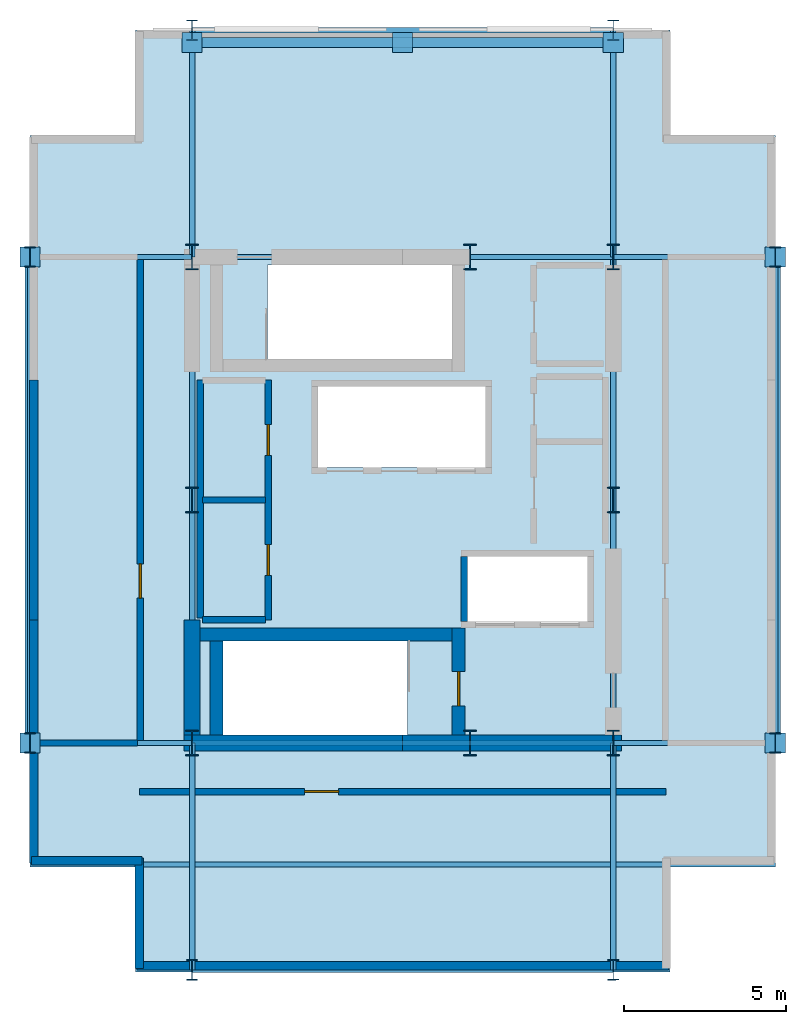
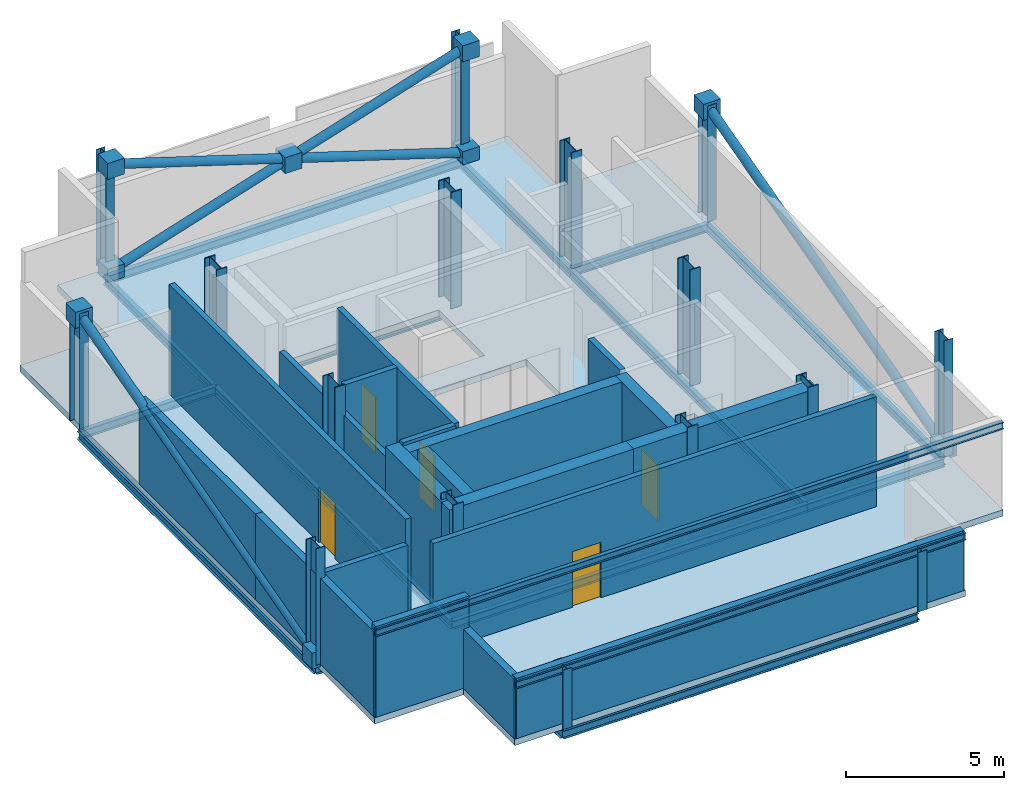
# One storey, part 1 of 3: 19 walls, 16 beams, 16 columns, 9 plates, 7 members, 5 doors, 1 slab, 5 openings.
"""IFC4 building model written with IfcOpenShell, lengths in metres."""

from ifc_helpers import new_model, si_unit, direction, frame, frame_2d, origin, origin_2d, place, context, subcontext, project, spatial, polyline, rectangle, hollow_circle, i_section, outline, extrude, material, layer, layer_set, material_profile, profile_set, type_object, element, fill, save


model = new_model("IFC4")

# Units and contexts
model_context = context("Model", 3, precision=1e-05, world=origin(), true_north=direction((0.0, 1.0)))
body_context = subcontext(model_context, "Body", "Model", "MODEL_VIEW")
ifc_project = project(units=[si_unit("LENGTHUNIT", "METRE"), si_unit("AREAUNIT", "SQUARE_METRE"), si_unit("VOLUMEUNIT", "CUBIC_METRE"), si_unit("PLANEANGLEUNIT", "RADIAN"), si_unit("MASSUNIT", "GRAM", prefix="KILO")], contexts=[model_context])

# Site, building, storey
site_placement = place(None, origin())
site = spatial("IfcSite", under=ifc_project, at=site_placement, CompositionType="ELEMENT")
building_placement = place(site_placement, origin())
building = spatial("IfcBuilding", under=site, at=building_placement, Name="Barlavira Tower and Art Museum", CompositionType="ELEMENT")
storey_placement = place(building_placement, frame((0.0, 0.0, 318.89990234375)))
storey = spatial("IfcBuildingStorey", under=building, at=storey_placement, Name="L83", CompositionType="ELEMENT", Elevation=318.89990234375)

# Columns
ifc_material_1 = material(Name="Steel S355", Category="steel")
ifc_material_profile_1 = material_profile(ifc_material_1, i_section(OverallWidth=0.382080078125, OverallDepth=0.785888671875, WebThickness=0.02001953125, FlangeThickness=0.032958984375, at=origin_2d()), Name="W760x314.0")
ifc_profile_set_1 = profile_set([ifc_material_profile_1], Name="Steel S355")
column_type_1 = type_object("IfcColumnType", Name="Core Composite Column W760x314 Steel S355", PredefinedType="COLUMN", material=ifc_profile_set_1)
for number, where, z_axis, x_axis, name in (
    (1, (-6.5, -7.5, 0.0), (0.0, 0.0, 1.0), (1.0, 0.0, 0.0), "L83 Column CC-L83-C1"),
    (2, (2.080078125, -7.5, 0.0), (0.0, 0.0, 1.0), (1.0, 0.0, 0.0), "L83 Column CC-L83-C2"),
    (3, (6.5, -7.5, 0.0), (0.0, 0.0, 1.0), (1.0, 0.0, 0.0), "L83 Column CC-L83-C3"),
    (4, (-6.5, 0.0, 0.0), (0.0, 0.0, 1.0), (1.0, 0.0, 0.0), "L83 Column CC-L83-C4"),
    (5, (6.5, 0.0, 0.0), (0.0, 0.0, 1.0), (1.0, 0.0, 0.0), "L83 Column CC-L83-C5"),
    (6, (-6.5, 7.5, 0.0), (0.0, 0.0, 1.0), (1.0, 0.0, 0.0), "L83 Column CC-L83-C6"),
    (7, (2.080078125, 7.5, 0.0), (0.0, 0.0, 1.0), (1.0, 0.0, 0.0), "L83 Column CC-L83-C7"),
    (8, (6.5, 7.5, 0.0), (0.0, 0.0, 1.0), (1.0, 0.0, 0.0), "L83 Column CC-L83-C8"),
):
    element("IfcColumn", number, at=place(storey_placement, frame(where, z_axis=z_axis, x_axis=x_axis)), inside=storey, type_object=column_type_1, Name=name, PredefinedType="COLUMN", context=body_context, shape_type="SweptSolid", body=[
        extrude(i_section(OverallWidth=0.382080078125, OverallDepth=0.785888671875, WebThickness=0.02001953125, FlangeThickness=0.032958984375, at=origin_2d()), origin(), (0.0, 0.0, 1.0), 4.5),
    ])
ifc_material_profile_2 = material_profile(ifc_material_1, i_section(OverallWidth=0.327880859375, OverallDepth=0.62890625, WebThickness=0.013916015625, FlangeThickness=0.021484375, at=origin_2d()), Name="W610x174.0")
ifc_profile_set_2 = profile_set([ifc_material_profile_2], Name="Steel S355")
column_type_2 = type_object("IfcColumnType", Name="Crown Frame Column W610x174 Steel S355", PredefinedType="COLUMN", material=ifc_profile_set_2)
for number, where, z_axis, x_axis, name in (
    (9, (-6.5, -14.5, 0.0), (0.0, 0.0, 1.0), (1.0, 0.0, 0.0), "L83 Column CCR-L83-CR1"),
    (10, (6.5, -14.5, 0.0), (0.0, 0.0, 1.0), (1.0, 0.0, 0.0), "L83 Column CCR-L83-CR3"),
):
    element("IfcColumn", number, at=place(storey_placement, frame(where, z_axis=z_axis, x_axis=x_axis)), inside=storey, type_object=column_type_2, Name=name, PredefinedType="COLUMN", context=body_context, shape_type="SweptSolid", body=[
        extrude(i_section(OverallWidth=0.327880859375, OverallDepth=0.62890625, WebThickness=0.013916015625, FlangeThickness=0.021484375, at=origin_2d()), origin(), (0.0, 0.0, 1.0), 2.294921875),
    ])
for number, where, z_axis, x_axis, name in (
    (11, (-11.5, -7.5, 0.0), (0.0, 0.0, 1.0), (1.0, 0.0, 0.0), "L83 Column CCR-L83-CR6"),
    (12, (11.5, -7.5, 0.0), (0.0, 0.0, 1.0), (1.0, 0.0, 0.0), "L83 Column CCR-L83-CR7"),
    (13, (-11.5, 7.5, 0.0), (0.0, 0.0, 1.0), (1.0, 0.0, 0.0), "L83 Column CCR-L83-CRA"),
    (14, (11.5, 7.5, 0.0), (0.0, 0.0, 1.0), (1.0, 0.0, 0.0), "L83 Column CCR-L83-CRB"),
    (15, (-6.5, 14.5, 0.0), (0.0, 0.0, 1.0), (1.0, 0.0, 0.0), "L83 Column CCR-L83-CRE"),
    (16, (6.5, 14.5, 0.0), (0.0, 0.0, 1.0), (1.0, 0.0, 0.0), "L83 Column CCR-L83-CRG"),
):
    element("IfcColumn", number, at=place(storey_placement, frame(where, z_axis=z_axis, x_axis=x_axis)), inside=storey, type_object=column_type_2, Name=name, PredefinedType="COLUMN", context=body_context, shape_type="SweptSolid", body=[
        extrude(i_section(OverallWidth=0.327880859375, OverallDepth=0.62890625, WebThickness=0.013916015625, FlangeThickness=0.021484375, at=origin_2d()), origin(), (0.0, 0.0, 1.0), 4.5),
    ])

# Beams
ifc_material_profile_3 = material_profile(ifc_material_1, i_section(OverallWidth=0.1669921875, OverallDepth=0.31689453125, WebThickness=0.007568359375, FlangeThickness=0.01318359375, at=origin_2d()), Name="W310x52.0")
ifc_profile_set_3 = profile_set([ifc_material_profile_3], Name="Steel S355")
beam_type = type_object("IfcBeamType", Name="Crown Floor Joist W310x52 Steel S355", PredefinedType="JOIST", material=ifc_profile_set_3)
for number, where, z_axis, x_axis, name in (
    (17, (-6.5, -14.5, -0.408447265625), (1.0, 0.0, 0.0), (0.0, 1.0, 0.0), "L83 Crown Ring Beam CS"),
    (18, (-6.5, 14.5, -0.408447265625), (1.0, 0.0, 0.0), (0.0, 1.0, 0.0), "L83 Crown Ring Beam CN"),
):
    element("IfcBeam", number, at=place(storey_placement, frame(where, z_axis=z_axis, x_axis=x_axis)), inside=storey, type_object=beam_type, Name=name, PredefinedType="JOIST", context=body_context, shape_type="SweptSolid", body=[
        extrude(i_section(OverallWidth=0.1669921875, OverallDepth=0.31689453125, WebThickness=0.007568359375, FlangeThickness=0.01318359375, at=origin_2d()), origin(), (0.0, 0.0, 1.0), 13.0),
    ])
for number, where, z_axis, x_axis, name in (
    (19, (-11.5, -7.5, -0.408447265625), (0.0, 1.0, 0.0), (-1.0, 0.0, 0.0), "L83 Crown Ring Beam CW1"),
    (20, (11.5, -7.5, -0.408447265625), (0.0, 1.0, 0.0), (-1.0, 0.0, 0.0), "L83 Crown Ring Beam CE1"),
):
    element("IfcBeam", number, at=place(storey_placement, frame(where, z_axis=z_axis, x_axis=x_axis)), inside=storey, type_object=beam_type, Name=name, PredefinedType="JOIST", context=body_context, shape_type="SweptSolid", body=[
        extrude(i_section(OverallWidth=0.1669921875, OverallDepth=0.31689453125, WebThickness=0.007568359375, FlangeThickness=0.01318359375, at=origin_2d()), origin(), (0.0, 0.0, 1.0), 15.0),
    ])
for number, where, z_axis, x_axis, name in (
    (21, (-6.5, -14.5, -0.408447265625), (0.0, 1.0, 0.0), (-1.0, 0.0, 0.0), "L83 Crown Ring Beam CSL"),
    (22, (6.5, -14.5, -0.408447265625), (0.0, 1.0, 0.0), (-1.0, 0.0, 0.0), "L83 Crown Ring Beam CSR"),
    (23, (-6.5, 7.5, -0.408447265625), (0.0, 1.0, 0.0), (-1.0, 0.0, 0.0), "L83 Crown Ring Beam CNL"),
    (24, (6.5, 7.5, -0.408447265625), (0.0, 1.0, 0.0), (-1.0, 0.0, 0.0), "L83 Crown Ring Beam CNR"),
):
    element("IfcBeam", number, at=place(storey_placement, frame(where, z_axis=z_axis, x_axis=x_axis)), inside=storey, type_object=beam_type, Name=name, PredefinedType="JOIST", context=body_context, shape_type="SweptSolid", body=[
        extrude(i_section(OverallWidth=0.1669921875, OverallDepth=0.31689453125, WebThickness=0.007568359375, FlangeThickness=0.01318359375, at=origin_2d()), origin(), (0.0, 0.0, 1.0), 7.0),
    ])
for number, where, z_axis, x_axis, name in (
    (25, (-11.5, -7.5, -0.408447265625), (1.0, 0.0, 0.0), (0.0, 1.0, 0.0), "L83 Crown Ring Beam CWL"),
    (26, (-11.5, 7.5, -0.408447265625), (1.0, 0.0, 0.0), (0.0, 1.0, 0.0), "L83 Crown Ring Beam CWR"),
    (27, (6.5, -7.5, -0.408447265625), (1.0, 0.0, 0.0), (0.0, 1.0, 0.0), "L83 Crown Ring Beam CEL"),
    (28, (6.5, 7.5, -0.408447265625), (1.0, 0.0, 0.0), (0.0, 1.0, 0.0), "L83 Crown Ring Beam CER"),
):
    element("IfcBeam", number, at=place(storey_placement, frame(where, z_axis=z_axis, x_axis=x_axis)), inside=storey, type_object=beam_type, Name=name, PredefinedType="JOIST", context=body_context, shape_type="SweptSolid", body=[
        extrude(i_section(OverallWidth=0.1669921875, OverallDepth=0.31689453125, WebThickness=0.007568359375, FlangeThickness=0.01318359375, at=origin_2d()), origin(), (0.0, 0.0, 1.0), 5.0),
    ])
for number, where, z_axis, x_axis, name in (
    (29, (-6.5, -7.5, -0.408447265625), (1.0, 0.0, 0.0), (0.0, 1.0, 0.0), "L83 Crown Ring Beam CI1"),
    (30, (-6.5, 7.5, -0.408447265625), (1.0, 0.0, 0.0), (0.0, 1.0, 0.0), "L83 Crown Ring Beam CI2"),
):
    element("IfcBeam", number, at=place(storey_placement, frame(where, z_axis=z_axis, x_axis=x_axis)), inside=storey, type_object=beam_type, Name=name, PredefinedType="JOIST", context=body_context, shape_type="SweptSolid", body=[
        extrude(i_section(OverallWidth=0.1669921875, OverallDepth=0.31689453125, WebThickness=0.007568359375, FlangeThickness=0.01318359375, at=origin_2d()), origin(), (0.0, 0.0, 1.0), 13.0),
    ])
for number, where, z_axis, x_axis, name in (
    (31, (-6.5, -7.5, -0.408447265625), (0.0, 1.0, 0.0), (-1.0, 0.0, 0.0), "L83 Crown Ring Beam CI3"),
    (32, (6.5, -7.5, -0.408447265625), (0.0, 1.0, 0.0), (-1.0, 0.0, 0.0), "L83 Crown Ring Beam CI4"),
):
    element("IfcBeam", number, at=place(storey_placement, frame(where, z_axis=z_axis, x_axis=x_axis)), inside=storey, type_object=beam_type, Name=name, PredefinedType="JOIST", context=body_context, shape_type="SweptSolid", body=[
        extrude(i_section(OverallWidth=0.1669921875, OverallDepth=0.31689453125, WebThickness=0.007568359375, FlangeThickness=0.01318359375, at=origin_2d()), origin(), (0.0, 0.0, 1.0), 15.0),
    ])

# Members
ifc_material_profile_4 = material_profile(ifc_material_1, hollow_circle(Radius=0.161865234375, WallThickness=0.01611328125, at=origin_2d()), Name="CHS 323.9x16.0")
ifc_profile_set_4 = profile_set([ifc_material_profile_4], Name="Steel S355")
member_type_1 = type_object("IfcMemberType", Name="Pale-Metal Crown Diagrid Tube CHS 324x16 Steel S355", PredefinedType="BRACE", material=ifc_profile_set_4)
member_1_placement = place(storey_placement, frame((-6.5, 14.1201171875, 0.2001953125), z_axis=(0.953696556146, 0.0, 0.300770475273), x_axis=(0.0, 1.0, 0.0)))
element("IfcMember", 33, at=member_1_placement, inside=storey, type_object=member_type_1, Name="L83 Chisel Crown Diagonal Brace 1", PredefinedType="BRACE", context=body_context, shape_type="SweptSolid", body=[
    extrude(hollow_circle(Radius=0.161865234375, WallThickness=0.01611328125, at=origin_2d()), origin(), (0.0, 0.0, 1.0), 13.631103515625),
])
member_2_placement = place(storey_placement, frame((6.5, 14.1201171875, 0.2001953125), z_axis=(-0.95370169354, 0.0, 0.300754184907), x_axis=(0.0, -1.0, 0.0)))
element("IfcMember", 34, at=member_2_placement, inside=storey, type_object=member_type_1, Name="L83 Chisel Crown Diagonal Brace 2", PredefinedType="BRACE", context=body_context, shape_type="SweptSolid", body=[
    extrude(hollow_circle(Radius=0.161865234375, WallThickness=0.01611328125, at=origin_2d()), origin(), (0.0, 0.0, 1.0), 6.8154296875),
])
member_3_placement = place(storey_placement, frame((0.0, 14.1201171875, 2.25), z_axis=(-0.953691418528, 0.0, 0.300786765376), x_axis=(0.0, -1.0, 0.0)))
element("IfcMember", 35, at=member_3_placement, inside=storey, type_object=member_type_1, Name="L83 Chisel Crown Diagonal Brace 3", PredefinedType="BRACE", context=body_context, shape_type="SweptSolid", body=[
    extrude(hollow_circle(Radius=0.161865234375, WallThickness=0.01611328125, at=origin_2d()), origin(), (0.0, 0.0, 1.0), 6.815673828125),
])
for number, where, z_axis, x_axis, name in (
    (36, (-11.5, -7.5, 0.2001953125), (0.0, 0.964617661228, 0.263652740641), (-1.0, 0.0, 0.0), "L83 Chisel Crown Flank Brace 10"),
    (37, (11.5, -7.5, 0.2001953125), (0.0, 0.964617661228, 0.263652740641), (-1.0, 0.0, 0.0), "L83 Chisel Crown Flank Brace 11"),
):
    element("IfcMember", number, at=place(storey_placement, frame(where, z_axis=z_axis, x_axis=x_axis)), inside=storey, type_object=member_type_1, Name=name, PredefinedType="BRACE", context=body_context, shape_type="SweptSolid", body=[
        extrude(hollow_circle(Radius=0.161865234375, WallThickness=0.01611328125, at=origin_2d()), origin(), (0.0, 0.0, 1.0), 15.55029296875),
    ])
ifc_material_profile_5 = material_profile(ifc_material_1, i_section(OverallWidth=0.14794921875, OverallDepth=0.26611328125, WebThickness=0.007568359375, FlangeThickness=0.012939453125, at=origin_2d()), Name="W250x44.8")
ifc_profile_set_5 = profile_set([ifc_material_profile_5], Name="Steel S355")
member_type_2 = type_object("IfcMemberType", Name="Sloped Chisel Roof Purlin W250x44.8 Steel S355", PredefinedType="PURLIN", material=ifc_profile_set_5)
member_4_placement = place(storey_placement, frame((-8.25, -14.5, 2.111083984375), z_axis=(1.0, 0.0, 0.0), x_axis=(0.0, 1.0, 0.0)))
element("IfcMember", 38, at=member_4_placement, inside=storey, type_object=member_type_2, Name="Chisel Roof Purlin 1", PredefinedType="PURLIN", context=body_context, shape_type="SweptSolid", body=[
    extrude(i_section(OverallWidth=0.14794921875, OverallDepth=0.26611328125, WebThickness=0.007568359375, FlangeThickness=0.012939453125, at=origin_2d()), origin(), (0.0, 0.0, 1.0), 16.5),
])
member_5_placement = place(storey_placement, frame((-11.5, -11.25, 3.2939453125), z_axis=(1.0, 0.0, 0.0), x_axis=(0.0, 1.0, 0.0)))
element("IfcMember", 39, at=member_5_placement, inside=storey, type_object=member_type_2, Name="Chisel Roof Purlin 2", PredefinedType="PURLIN", context=body_context, shape_type="SweptSolid", body=[
    extrude(i_section(OverallWidth=0.14794921875, OverallDepth=0.26611328125, WebThickness=0.007568359375, FlangeThickness=0.012939453125, at=origin_2d()), origin(), (0.0, 0.0, 1.0), 23.0),
])

# Plates
ifc_layer_1 = layer(ifc_material_1, 0.6201171875, Name="Steel S355")
ifc_layer_set_1 = layer_set([ifc_layer_1], Name="Steel S355")
plate_type = type_object("IfcPlateType", Name="Crown Canopy Solid Steel Node Cap Plate Assembly Type 6 Steel S355", PredefinedType="USERDEFINED", material=ifc_layer_set_1)
for number, where, z_axis, x_axis, name in (
    (40, (-6.5, 14.1201171875, -0.10986328125), (0.0, 0.0, 1.0), (1.0, 0.0, 0.0), "L83 Crown X-Brace Node ND-L83-0929"),
    (41, (6.5, 14.1201171875, -0.10986328125), (0.0, 0.0, 1.0), (1.0, 0.0, 0.0), "L83 Crown X-Brace Node ND-L83-0930"),
    (42, (-6.5, 14.1201171875, 3.989990234375), (0.0, 0.0, 1.0), (1.0, 0.0, 0.0), "L83 Crown X-Brace Node ND-L83-0931"),
    (43, (6.5, 14.1201171875, 3.989990234375), (0.0, 0.0, 1.0), (1.0, 0.0, 0.0), "L83 Crown X-Brace Node ND-L83-0932"),
    (44, (0.0, 14.1201171875, 1.93994140625), (0.0, 0.0, 1.0), (1.0, 0.0, 0.0), "L83 Crown X-Brace Node ND-L83-0933"),
    (45, (-11.5, -7.5, -0.10986328125), (0.0, 0.0, 1.0), (1.0, 0.0, 0.0), "L83 Flank Brace Base Node 10 ND-L83-0944"),
    (46, (-11.5, 7.5, 3.989990234375), (0.0, 0.0, 1.0), (1.0, 0.0, 0.0), "L83 Flank Brace Top Node 10 ND-L83-0945"),
    (47, (11.5, -7.5, -0.10986328125), (0.0, 0.0, 1.0), (1.0, 0.0, 0.0), "L83 Flank Brace Base Node 11 ND-L83-0946"),
    (48, (11.5, 7.5, 3.989990234375), (0.0, 0.0, 1.0), (1.0, 0.0, 0.0), "L83 Flank Brace Top Node 11 ND-L83-0947"),
):
    element("IfcPlate", number, at=place(storey_placement, frame(where, z_axis=z_axis, x_axis=x_axis)), inside=storey, type_object=plate_type, Name=name, ObjectType="FLANGE_PLATE", PredefinedType="USERDEFINED", context=body_context, shape_type="SweptSolid", body=[
        extrude(rectangle(XDim=0.6201171875, YDim=0.6201171875, at=origin_2d()), origin(), (0.0, 0.0, 1.0), 0.6201171875),
    ])

# Slab
ifc_material_2 = material(Name="Concrete C50", Category="concrete")
ifc_layer_2 = layer(ifc_material_2, 0.25, Name="Concrete C50")
ifc_layer_set_2 = layer_set([ifc_layer_2], Name="Concrete C50")
slab_type = type_object("IfcSlabType", Name="Crown Conservatory and Plant Slab 250 Concrete C50", PredefinedType="FLOOR", material=ifc_layer_set_2)
slab_placement = place(storey_placement, frame((0.0, 0.0, -0.25)))
element("IfcSlab", 49, at=slab_placement, inside=storey, type_object=slab_type, Name="L83 Crown Floor Slab", PredefinedType="FLOOR", context=body_context, shape_type="SweptSolid", body=[
    extrude(outline(polyline([(-8.25, -14.5), (8.25, -14.5), (8.25, -11.25), (11.5, -11.25), (11.5, 11.25), (8.25, 11.25), (8.25, 14.5), (-8.25, 14.5), (-8.25, 11.25), (-11.5, 11.25), (-11.5, -11.25), (-8.25, -11.25), (-8.25, -14.5)]), holes=[polyline([(0.14990234375, -4.35009765625), (-5.550048828125, -4.35009765625), (-5.550048828125, -7.25), (0.14990234375, -7.25), (0.14990234375, -4.35009765625)]), polyline([(-4.169921875, 4.35009765625), (1.530029296875, 4.35009765625), (1.530029296875, 7.25), (-4.169921875, 7.25), (-4.169921875, 4.35009765625)]), polyline([(-2.6201171875, 1.0), (2.56005859375, 1.0), (2.56005859375, 3.5), (-2.6201171875, 3.5), (-2.6201171875, 1.0)]), polyline([(2.0, -3.75), (5.699951171875, -3.75), (5.699951171875, -1.75), (2.0, -1.75), (2.0, -3.75)])]), origin(), (0.0, 0.0, 1.0), 0.25),
])

# Walls
ifc_material_3 = material(Name="Concrete C60", Category="concrete")
ifc_layer_3 = layer(ifc_material_3, 0.5, Name="Concrete C60")
ifc_layer_set_3 = layer_set([ifc_layer_3], Name="Concrete C60")
wall_type_1 = type_object("IfcWallType", Name="Core Structural Shear Wall 500 Concrete C60", PredefinedType="SHEAR", material=ifc_layer_set_3)
for number, where, z_axis, x_axis, name in (
    (50, (-6.75, -7.5, 0.0), (0.0, 0.0, 1.0), (1.0, 0.0, 0.0), "L83 Core Shear Wall CS-SW"),
    (51, (0.0, -7.5, 0.0), (0.0, 0.0, 1.0), (1.0, 0.0, 0.0), "L83 Core Shear Wall CS-SE"),
):
    element("IfcWall", number, at=place(storey_placement, frame(where, z_axis=z_axis, x_axis=x_axis)), inside=storey, type_object=wall_type_1, Name=name, PredefinedType="SHEAR", context=body_context, shape_type="SweptSolid", body=[
        extrude(rectangle(XDim=6.75, YDim=0.5, at=frame_2d((3.375, 0.0))), origin(), (0.0, 0.0, 1.0), 4.25),
    ])
wall_1_placement = place(storey_placement, frame((-6.5, -7.25, 0.0), z_axis=(0.0, 0.0, 1.0), x_axis=(0.0, 1.0, 0.0)))
element("IfcWall", 52, at=wall_1_placement, inside=storey, type_object=wall_type_1, Name="L83 Core Shear Wall CS-W1", PredefinedType="SHEAR", context=body_context, shape_type="SweptSolid", body=[
    extrude(rectangle(XDim=3.550048828125, YDim=0.5, at=frame_2d((1.77490234375, 0.0))), origin(), (0.0, 0.0, 1.0), 4.25),
])
ifc_material_4 = material(Name="Architectural white precast concrete C40", Category="concrete")
ifc_layer_4 = layer(ifc_material_4, 0.260009765625, Name="Architectural white precast concrete C40")
ifc_layer_set_4 = layer_set([ifc_layer_4], Name="Architectural white precast concrete C40")
wall_type_2 = type_object("IfcWallType", Name="Crown Architectural White Precast Wall 260 Concrete C40", PredefinedType="SOLIDWALL", material=ifc_layer_set_4)
wall_2_placement = place(storey_placement, frame((-8.199951171875, -14.3798828125, 0.0), z_axis=(0.0, 0.0, 1.0), x_axis=(1.0, 0.0, 0.0)))
element("IfcWall", 53, at=wall_2_placement, inside=storey, type_object=wall_type_2, Name="L83 Chisel Low-South White Precast Brow", PredefinedType="SOLIDWALL", context=body_context, shape_type="SweptSolid", body=[
    extrude(rectangle(XDim=16.39990234375, YDim=0.260009765625, at=frame_2d((8.199951171875, 0.0))), origin(), (0.0, 0.0, 1.0), 2.32861328125),
])
wall_3_placement = place(storey_placement, frame((-11.3798828125, -3.699951171875, 0.0), z_axis=(0.0, 0.0, 1.0), x_axis=(0.0, -1.0, 0.0)))
element("IfcWall", 54, at=wall_3_placement, inside=storey, type_object=wall_type_2, Name="L83 Chisel W White Precast Wall 1", PredefinedType="SOLIDWALL", context=body_context, shape_type="SweptSolid", body=[
    extrude(rectangle(XDim=7.5, YDim=0.260009765625, at=frame_2d((3.75, 0.0))), origin(), (0.0, 0.0, 1.0), 3.302978515625),
])
wall_4_placement = place(storey_placement, frame((-11.3798828125, 3.699951171875, 0.0), z_axis=(0.0, 0.0, 1.0), x_axis=(0.0, -1.0, 0.0)))
element("IfcWall", 55, at=wall_4_placement, inside=storey, type_object=wall_type_2, Name="L83 Chisel W White Precast Wall 2", PredefinedType="SOLIDWALL", context=body_context, shape_type="SweptSolid", body=[
    extrude(rectangle(XDim=7.39990234375, YDim=0.260009765625, at=frame_2d((3.699951171875, 0.0))), origin(), (0.0, 0.0, 1.0), 3.302978515625),
])
wall_5_placement = place(storey_placement, frame((-11.4599609375, -11.1298828125, 0.0), z_axis=(0.0, 0.0, 1.0), x_axis=(1.0, 0.0, 0.0)))
element("IfcWall", 56, at=wall_5_placement, inside=storey, type_object=wall_type_2, Name="L83 Crown Notch White Precast Wall SW1", PredefinedType="SOLIDWALL", context=body_context, shape_type="SweptSolid", body=[
    extrude(rectangle(XDim=3.409912109375, YDim=0.260009765625, at=frame_2d((1.705078125, 0.0))), origin(), (0.0, 0.0, 1.0), 3.511474609375),
])
wall_6_placement = place(storey_placement, frame((-8.1298828125, -11.050048828125, 0.0), z_axis=(0.0, 0.0, 1.0), x_axis=(0.0, -1.0, 0.0)))
element("IfcWall", 57, at=wall_6_placement, inside=storey, type_object=wall_type_2, Name="L83 Crown Notch White Precast Wall SW2", PredefinedType="SOLIDWALL", context=body_context, shape_type="SweptSolid", body=[
    extrude(rectangle(XDim=3.409912109375, YDim=0.260009765625, at=frame_2d((1.705078125, 0.0))), origin(), (0.0, 0.0, 1.0), 2.299560546875),
])
ifc_material_5 = material(Name="Autoclaved aerated concrete masonry", Category="masonry")
ifc_layer_5 = layer(ifc_material_5, 0.199951171875, Name="Autoclaved aerated concrete masonry")
ifc_layer_set_5 = layer_set([ifc_layer_5], Name="Autoclaved aerated concrete masonry")
wall_type_3 = type_object("IfcWallType", Name="Fire Compartment and Shaft Wall 200", PredefinedType="SOLIDWALL", material=ifc_layer_set_5)
wall_7_placement = place(storey_placement, frame((1.89990234375, -3.75, 0.0), z_axis=(0.0, 0.0, 1.0), x_axis=(0.0, 1.0, 0.0)))
element("IfcWall", 58, at=wall_7_placement, inside=storey, type_object=wall_type_3, Name="L83 Firefighting Lift West Shaft Wall", PredefinedType="SOLIDWALL", context=body_context, shape_type="SweptSolid", body=[
    extrude(rectangle(XDim=2.0, YDim=0.199951171875, at=frame_2d((1.0, 0.0))), origin(), (0.0, 0.0, 1.0), 4.25),
])

# Wall, opening, door
wall_8_placement = place(storey_placement, frame((-8.10009765625, -7.5, 0.0), z_axis=(0.0, 0.0, 1.0), x_axis=(0.0, 1.0, 0.0)))
wall_8 = element("IfcWall", 59, at=wall_8_placement, inside=storey, type_object=wall_type_3, Name="L83 Partition Wall 1", PredefinedType="SOLIDWALL", context=body_context, shape_type="SweptSolid", body=[
    extrude(rectangle(XDim=15.0, YDim=0.199951171875, at=frame_2d((7.5, 0.0))), origin(), (0.0, 0.0, 1.0), 4.25),
])
opening_1_placement = place(wall_8_placement, frame((4.47509765625, 0.0, 0.0)))
opening_1 = element("IfcOpeningElement", 60, at=opening_1_placement, cuts=wall_8, Name="Opening FD-90", PredefinedType="OPENING", context=body_context, shape_type="SweptSolid", body=[
    extrude(rectangle(XDim=1.050048828125, YDim=2.14990234375, at=frame_2d((0.52490234375, 1.074951171875))), frame((0.0, 0.10986328125, 0.0), z_axis=(0.0, -1.0, 0.0), x_axis=(1.0, 0.0, 0.0)), (0.0, 0.0, 1.0), 0.219970703125),
])
ifc_material_6 = material(Name="Brushed stainless steel", Category="steel")
door_type_1 = type_object("IfcDoorType", Name="Stair and Refuge Fire Door 1050x2150 FD90S", OperationType="NOTDEFINED", PredefinedType="DOOR", material=ifc_material_6)
door_1_placement = place(opening_1_placement, origin())
door_1 = element("IfcDoor", 61, at=door_1_placement, inside=storey, type_object=door_type_1, Name="Crown Fire and Domestic Water Tank Room Door", OperationType="SINGLE_SWING_RIGHT", OverallHeight=2.14990234375, OverallWidth=1.050048828125, PredefinedType="DOOR", context=body_context, shape_type="SweptSolid", body=[
    extrude(rectangle(XDim=1.050048828125, YDim=2.14990234375, at=frame_2d((0.52490234375, 1.074951171875))), frame((0.0, 0.02490234375, 0.0), z_axis=(0.0, -1.0, 0.0), x_axis=(1.0, 0.0, 0.0)), (0.0, 0.0, 1.0), 0.050048828125),
])
fill(opening_1, door_1)

# Wall
wall_9_placement = place(storey_placement, frame((-6.25, -3.639892578125, 0.0), z_axis=(0.0, 0.0, 1.0), x_axis=(0.0, 1.0, 0.0)))
element("IfcWall", 62, at=wall_9_placement, inside=storey, type_object=wall_type_3, Name="L83 Partition Wall 2", PredefinedType="SOLIDWALL", context=body_context, shape_type="SweptSolid", body=[
    extrude(rectangle(XDim=7.33984375, YDim=0.199951171875, at=frame_2d((3.669921875, 0.0))), origin(), (0.0, 0.0, 1.0), 3.302978515625),
])

# Wall, openings, doors
wall_10_placement = place(storey_placement, frame((-4.14990234375, -3.699951171875, 0.0), z_axis=(0.0, 0.0, 1.0), x_axis=(0.0, 1.0, 0.0)))
wall_10 = element("IfcWall", 63, at=wall_10_placement, inside=storey, type_object=wall_type_3, Name="L83 Partition Wall 3", PredefinedType="SOLIDWALL", context=body_context, shape_type="SweptSolid", body=[
    extrude(rectangle(XDim=7.39990234375, YDim=0.199951171875, at=frame_2d((3.699951171875, 0.0))), origin(), (0.0, 0.0, 1.0), 4.25),
])
opening_2_placement = place(wall_10_placement, frame((1.375, 0.0, 0.0)))
opening_2 = element("IfcOpeningElement", 64, at=opening_2_placement, cuts=wall_10, Name="Opening FD-60", PredefinedType="OPENING", context=body_context, shape_type="SweptSolid", body=[
    extrude(rectangle(XDim=0.949951171875, YDim=2.14990234375, at=frame_2d((0.47509765625, 1.074951171875))), frame((0.0, 0.10986328125, 0.0), z_axis=(0.0, -1.0, 0.0), x_axis=(1.0, 0.0, 0.0)), (0.0, 0.0, 1.0), 0.219970703125),
])
opening_3_placement = place(wall_10_placement, frame((5.074951171875, 0.0, 0.0)))
opening_3 = element("IfcOpeningElement", 65, at=opening_3_placement, cuts=wall_10, Name="Opening FD-60", PredefinedType="OPENING", context=body_context, shape_type="SweptSolid", body=[
    extrude(rectangle(XDim=0.949951171875, YDim=2.14990234375, at=frame_2d((0.47509765625, 1.074951171875))), frame((0.0, 0.10986328125, 0.0), z_axis=(0.0, -1.0, 0.0), x_axis=(1.0, 0.0, 0.0)), (0.0, 0.0, 1.0), 0.219970703125),
])
door_type_2 = type_object("IfcDoorType", Name="Apartment Entrance and Riser Fire Door 950x2150 FD60S", OperationType="NOTDEFINED", PredefinedType="DOOR", material=ifc_material_6)
door_2_placement = place(opening_2_placement, origin())
door_2 = element("IfcDoor", 66, at=door_2_placement, inside=storey, type_object=door_type_2, Name="Reclaimed Core Linen and Amenity Store Door", OperationType="SINGLE_SWING_RIGHT", OverallHeight=2.14990234375, OverallWidth=0.949951171875, PredefinedType="DOOR", context=body_context, shape_type="SweptSolid", body=[
    extrude(rectangle(XDim=0.949951171875, YDim=2.14990234375, at=frame_2d((0.47509765625, 1.074951171875))), frame((0.0, 0.02490234375, 0.0), z_axis=(0.0, -1.0, 0.0), x_axis=(1.0, 0.0, 0.0)), (0.0, 0.0, 1.0), 0.050048828125),
])
fill(opening_2, door_2)
door_3_placement = place(opening_3_placement, origin())
door_3 = element("IfcDoor", 67, at=door_3_placement, inside=storey, type_object=door_type_2, Name="Reclaimed Core Telecom and BMS Room Door", OperationType="SINGLE_SWING_LEFT", OverallHeight=2.14990234375, OverallWidth=0.949951171875, PredefinedType="DOOR", context=body_context, shape_type="SweptSolid", body=[
    extrude(rectangle(XDim=0.949951171875, YDim=2.14990234375, at=frame_2d((0.47509765625, 1.074951171875))), frame((0.0, 0.02490234375, 0.0), z_axis=(0.0, -1.0, 0.0), x_axis=(1.0, 0.0, 0.0)), (0.0, 0.0, 1.0), 0.050048828125),
])
fill(opening_3, door_3)

# Wall, opening, door
wall_11_placement = place(storey_placement, frame((-8.1201171875, -9.0, 0.0), z_axis=(0.0, 0.0, 1.0), x_axis=(1.0, 0.0, 0.0)))
wall_11 = element("IfcWall", 68, at=wall_11_placement, inside=storey, type_object=wall_type_3, Name="L83 Partition Wall 8", PredefinedType="SOLIDWALL", context=body_context, shape_type="SweptSolid", body=[
    extrude(rectangle(XDim=16.240234375, YDim=0.199951171875, at=frame_2d((8.1201171875, 0.0))), origin(), (0.0, 0.0, 1.0), 4.25),
])
opening_4_placement = place(wall_11_placement, frame((5.094970703125, 0.0, 0.0)))
opening_4 = element("IfcOpeningElement", 69, at=opening_4_placement, cuts=wall_11, Name="Opening FD-90", PredefinedType="OPENING", context=body_context, shape_type="SweptSolid", body=[
    extrude(rectangle(XDim=1.050048828125, YDim=2.14990234375, at=frame_2d((0.52490234375, 1.074951171875))), frame((0.0, 0.10986328125, 0.0), z_axis=(0.0, -1.0, 0.0), x_axis=(1.0, 0.0, 0.0)), (0.0, 0.0, 1.0), 0.219970703125),
])
door_4_placement = place(opening_4_placement, origin())
door_4 = element("IfcDoor", 70, at=door_4_placement, inside=storey, type_object=door_type_1, Name="Crown Cooling and Heat-Recovery Plant Room Door", OperationType="SINGLE_SWING_LEFT", OverallHeight=2.14990234375, OverallWidth=1.050048828125, PredefinedType="DOOR", context=body_context, shape_type="SweptSolid", body=[
    extrude(rectangle(XDim=1.050048828125, YDim=2.14990234375, at=frame_2d((0.52490234375, 1.074951171875))), frame((0.0, 0.02490234375, 0.0), z_axis=(0.0, -1.0, 0.0), x_axis=(1.0, 0.0, 0.0)), (0.0, 0.0, 1.0), 0.050048828125),
])
fill(opening_4, door_4)

# Walls
wall_12_placement = place(storey_placement, frame((-11.2451171875, -7.5, 0.0), z_axis=(0.0, 0.0, 1.0), x_axis=(1.0, 0.0, 0.0)))
element("IfcWall", 71, at=wall_12_placement, inside=storey, type_object=wall_type_3, Name="L83 Partition Wall 9", PredefinedType="SOLIDWALL", context=body_context, shape_type="SweptSolid", body=[
    extrude(rectangle(XDim=3.065185546875, YDim=0.199951171875, at=frame_2d((1.53271484375, 0.0))), origin(), (0.0, 0.0, 1.0), 3.302978515625),
])
for number, where, z_axis, x_axis, name in (
    (72, (-6.169921875, -3.699951171875, 0.0), (0.0, 0.0, 1.0), (1.0, 0.0, 0.0), "L83 Partition Wall 11"),
    (73, (-6.169921875, 0.0, 0.0), (0.0, 0.0, 1.0), (1.0, 0.0, 0.0), "L83 Partition Wall 12"),
):
    element("IfcWall", number, at=place(storey_placement, frame(where, z_axis=z_axis, x_axis=x_axis)), inside=storey, type_object=wall_type_3, Name=name, PredefinedType="SOLIDWALL", context=body_context, shape_type="SweptSolid", body=[
        extrude(rectangle(XDim=1.93994140625, YDim=0.199951171875, at=frame_2d((0.969970703125, 0.0))), origin(), (0.0, 0.0, 1.0), 4.25),
    ])
ifc_material_7 = material(Name="Concrete C55", Category="concrete")
ifc_layer_6 = layer(ifc_material_7, 0.39990234375, Name="Concrete C55")
ifc_layer_set_6 = layer_set([ifc_layer_6], Name="Concrete C55")
wall_type_4 = type_object("IfcWallType", Name="Upper Core Shear Wall 400 Concrete C55", PredefinedType="SHEAR", material=ifc_layer_set_6)
wall_13_placement = place(storey_placement, frame((-5.75, -7.25, 0.0), z_axis=(0.0, 0.0, 1.0), x_axis=(0.0, 1.0, 0.0)))
element("IfcWall", 74, at=wall_13_placement, inside=storey, type_object=wall_type_4, Name="L83 ST-T1 West Half-Landing Wall", PredefinedType="SHEAR", context=body_context, shape_type="SweptSolid", body=[
    extrude(rectangle(XDim=2.89990234375, YDim=0.39990234375, at=frame_2d((1.449951171875, 0.0))), origin(), (0.0, 0.0, 1.0), 4.25),
])
wall_14_placement = place(storey_placement, frame((-6.25, -4.14990234375, 0.0), z_axis=(0.0, 0.0, 1.0), x_axis=(1.0, 0.0, 0.0)))
element("IfcWall", 75, at=wall_14_placement, inside=storey, type_object=wall_type_4, Name="L83 ST-T1 North Shaft Wall", PredefinedType="SHEAR", context=body_context, shape_type="SweptSolid", body=[
    extrude(rectangle(XDim=7.780029296875, YDim=0.39990234375, at=frame_2d((3.89013671875, 0.0))), origin(), (0.0, 0.0, 1.0), 4.25),
])

# Wall, opening, door
wall_15_placement = place(storey_placement, frame((1.72998046875, -7.25, 0.0), z_axis=(0.0, 0.0, 1.0), x_axis=(0.0, 1.0, 0.0)))
wall_15 = element("IfcWall", 76, at=wall_15_placement, inside=storey, type_object=wall_type_4, Name="L83 ST-T1 East Landing Wall", PredefinedType="SHEAR", context=body_context, shape_type="SweptSolid", body=[
    extrude(rectangle(XDim=3.300048828125, YDim=0.39990234375, at=frame_2d((1.64990234375, 0.0))), origin(), (0.0, 0.0, 1.0), 4.25),
])
opening_5_placement = place(wall_15_placement, frame((0.89990234375, 0.0, 0.0)))
opening_5 = element("IfcOpeningElement", 77, at=opening_5_placement, cuts=wall_15, Name="Opening FD-90", PredefinedType="OPENING", context=body_context, shape_type="SweptSolid", body=[
    extrude(rectangle(XDim=1.050048828125, YDim=2.14990234375, at=frame_2d((0.52490234375, 1.074951171875))), frame((0.0, 0.2099609375, 0.0), z_axis=(0.0, -1.0, 0.0), x_axis=(1.0, 0.0, 0.0)), (0.0, 0.0, 1.0), 0.419921875),
])
door_5_placement = place(opening_5_placement, origin())
door_5 = element("IfcDoor", 78, at=door_5_placement, inside=storey, type_object=door_type_1, Name="L83 Stair ST-T1 Fire Door", OperationType="SINGLE_SWING_RIGHT", OverallHeight=2.14990234375, OverallWidth=1.050048828125, PredefinedType="DOOR", context=body_context, shape_type="SweptSolid", body=[
    extrude(rectangle(XDim=1.050048828125, YDim=2.14990234375, at=frame_2d((0.52490234375, 1.074951171875))), frame((0.0, 0.02490234375, 0.0), z_axis=(0.0, -1.0, 0.0), x_axis=(1.0, 0.0, 0.0)), (0.0, 0.0, 1.0), 0.050048828125),
])
fill(opening_5, door_5)

save(model, "model.ifc")
